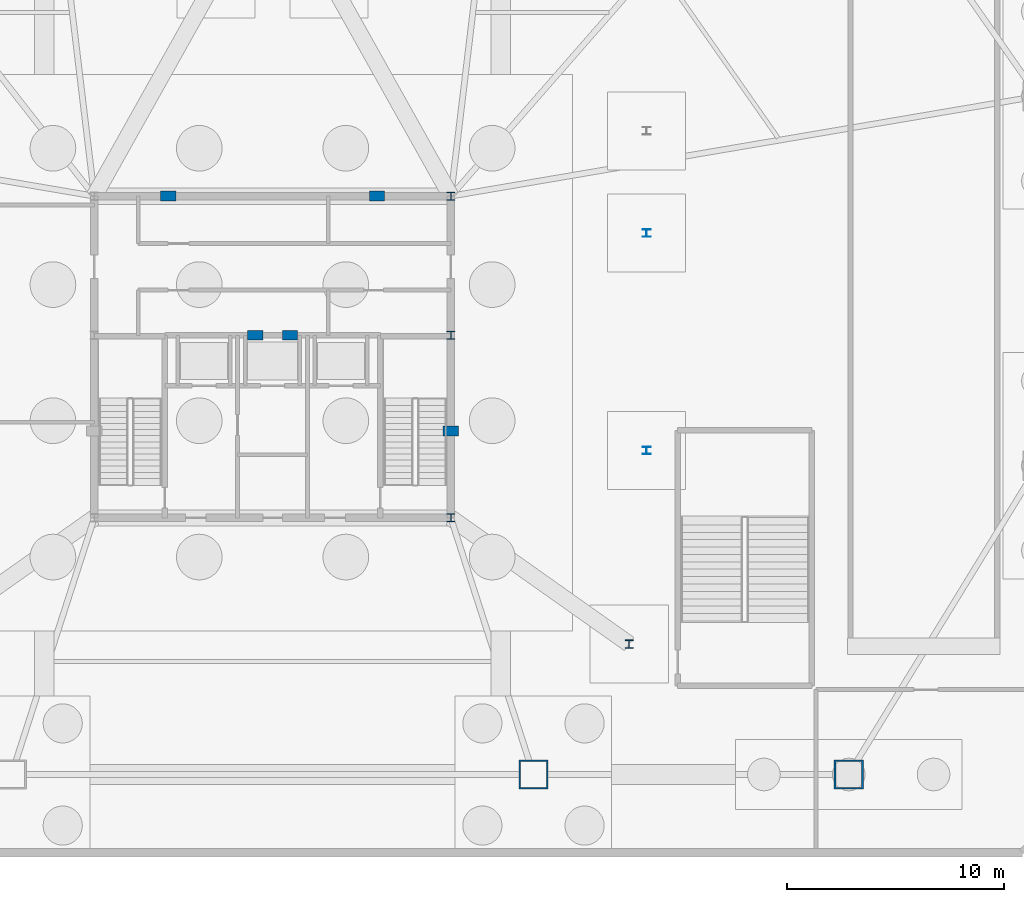
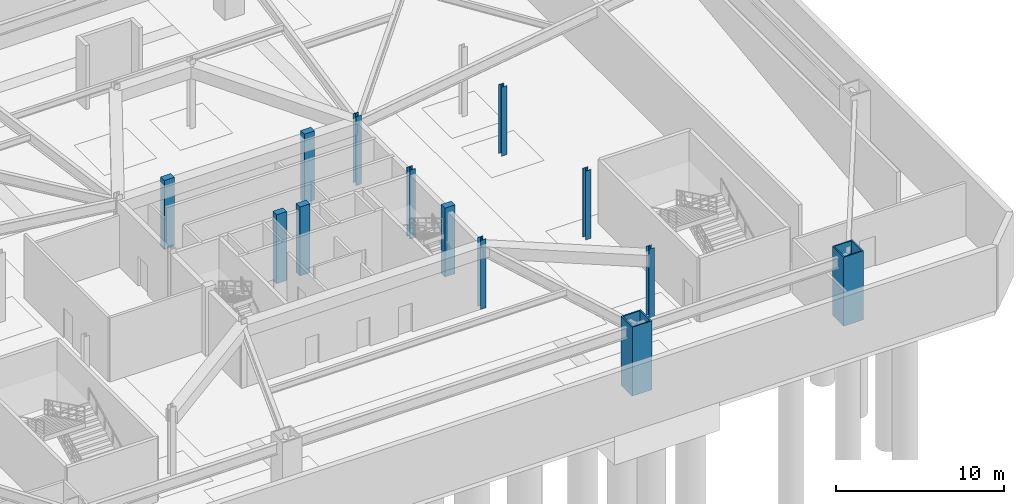
# One storey, part 3 of 12: 13 columns.
"""IFC4 building model written with IfcOpenShell, lengths in metres."""

from ifc_helpers import new_model, si_unit, direction, frame, origin, origin_2d, place, context, subcontext, project, spatial, rectangle, hollow_rectangle, i_section, extrude, material, material_profile, profile_set, type_object, element, save


model = new_model("IFC4")

# Units and contexts
model_context = context("Model", 3, precision=1e-05, world=origin(), true_north=direction((0.0, 1.0)))
body_context = subcontext(model_context, "Body", "Model", "MODEL_VIEW")
ifc_project = project(units=[si_unit("LENGTHUNIT", "METRE"), si_unit("AREAUNIT", "SQUARE_METRE"), si_unit("VOLUMEUNIT", "CUBIC_METRE"), si_unit("PLANEANGLEUNIT", "RADIAN"), si_unit("MASSUNIT", "GRAM", prefix="KILO")], contexts=[model_context])

# Site, building, storey
site_placement = place(None, origin())
site = spatial("IfcSite", under=ifc_project, at=site_placement, CompositionType="ELEMENT")
building_placement = place(site_placement, origin())
building = spatial("IfcBuilding", under=site, at=building_placement, Name="Varakhsha Concourse Tower", CompositionType="ELEMENT")
storey_placement = place(building_placement, frame((0.0, 0.0, -10.0)))
storey = spatial("IfcBuildingStorey", under=building, at=storey_placement, Name="B02", CompositionType="ELEMENT", Elevation=-10.0)

# Columns
ifc_material_1 = material(Name="Structural Steel ASTM A992 Grade 50", Category="steel")
ifc_material_profile_1 = material_profile(ifc_material_1, i_section(OverallWidth=0.3740234375, OverallDepth=0.3720703125, WebThickness=0.01611328125, FlangeThickness=0.02587890625, at=origin_2d()), Name="W14X132")
ifc_profile_set_1 = profile_set([ifc_material_profile_1], Name="Structural Steel ASTM A992 Grade 50")
column_type_1 = type_object("IfcColumnType", Name="CL-CORE-W14X132", PredefinedType="COLUMN", material=ifc_profile_set_1)
for number, where, z_axis, x_axis, name in (
    (1, (48.199951171875, 16.39990234375, 0.0), (0.0, 0.0, 1.0), (1.0, 0.0, 0.0), "B02 Core Column CC-SE"),
    (2, (48.199951171875, 24.800048828125, 0.0), (0.0, 0.0, 1.0), (1.0, 0.0, 0.0), "B02 Core Column CC-ME"),
    (3, (48.199951171875, 31.199951171875, 0.0), (0.0, 0.0, 1.0), (1.0, 0.0, 0.0), "B02 Core Column CC-NE"),
    (4, (56.39990234375, 10.60009765625, 0.0), (0.0, 0.0, 1.0), (1.0, 0.0, 0.0), "B02 Core Column SS-E"),
):
    element("IfcColumn", number, at=place(storey_placement, frame(where, z_axis=z_axis, x_axis=x_axis)), inside=storey, type_object=column_type_1, Name=name, PredefinedType="COLUMN", context=body_context, shape_type="SweptSolid", body=[
        extrude(i_section(OverallWidth=0.3740234375, OverallDepth=0.3720703125, WebThickness=0.01611328125, FlangeThickness=0.02587890625, at=origin_2d()), origin(), (0.0, 0.0, 1.0), 5.0),
    ])
ifc_material_2 = material(Name="Concrete fc 65 MPa", Category="concrete")
ifc_material_profile_2 = material_profile(ifc_material_2, rectangle(XDim=0.699951171875, YDim=0.449951171875, at=origin_2d()), Name="RC 700x450")
ifc_profile_set_2 = profile_set([ifc_material_profile_2], Name="Concrete fc 65 MPa")
column_type_2 = type_object("IfcColumnType", Name="CL-PIL-700X450", PredefinedType="PILASTER", material=ifc_profile_set_2)
for number, where, z_axis, x_axis, name in (
    (5, (48.199951171875, 20.39990234375, 0.0), (0.0, 0.0, 1.0), (1.0, 0.0, 0.0), "B02 Core Boundary Pilaster PIL-E1"),
    (6, (35.199951171875, 31.199951171875, 0.0), (0.0, 0.0, 1.0), (1.0, 0.0, 0.0), "B02 Core Boundary Pilaster PIL-N1"),
    (7, (44.800048828125, 31.199951171875, 0.0), (0.0, 0.0, 1.0), (1.0, 0.0, 0.0), "B02 Core Boundary Pilaster PIL-N2"),
    (8, (39.199951171875, 24.800048828125, 0.0), (0.0, 0.0, 1.0), (1.0, 0.0, 0.0), "B02 Core Boundary Pilaster PIL-M1"),
    (9, (40.800048828125, 24.800048828125, 0.0), (0.0, 0.0, 1.0), (1.0, 0.0, 0.0), "B02 Core Boundary Pilaster PIL-M2"),
):
    element("IfcColumn", number, at=place(storey_placement, frame(where, z_axis=z_axis, x_axis=x_axis)), inside=storey, type_object=column_type_2, Name=name, PredefinedType="PILASTER", context=body_context, shape_type="SweptSolid", body=[
        extrude(rectangle(XDim=0.699951171875, YDim=0.449951171875, at=origin_2d()), origin(), (0.0, 0.0, 1.0), 5.0),
    ])
ifc_material_profile_3 = material_profile(ifc_material_1, i_section(OverallWidth=0.368896484375, OverallDepth=0.35595703125, WebThickness=0.010986328125, FlangeThickness=0.01806640625, at=origin_2d()), Name="W14X90")
ifc_profile_set_3 = profile_set([ifc_material_profile_3], Name="Structural Steel ASTM A992 Grade 50")
column_type_3 = type_object("IfcColumnType", Name="CL-POD-W14X90", PredefinedType="COLUMN", material=ifc_profile_set_3)
for number, where, z_axis, x_axis, name in (
    (10, (57.199951171875, 19.5, 0.0), (0.0, 0.0, 1.0), (1.0, 0.0, 0.0), "B02 Substructure Column AUX-E1"),
    (11, (57.199951171875, 29.5, 0.0), (0.0, 0.0, 1.0), (1.0, 0.0, 0.0), "B02 Substructure Column AUX-E2"),
):
    element("IfcColumn", number, at=place(storey_placement, frame(where, z_axis=z_axis, x_axis=x_axis)), inside=storey, type_object=column_type_3, Name=name, PredefinedType="COLUMN", context=body_context, shape_type="SweptSolid", body=[
        extrude(i_section(OverallWidth=0.368896484375, OverallDepth=0.35595703125, WebThickness=0.010986328125, FlangeThickness=0.01806640625, at=origin_2d()), origin(), (0.0, 0.0, 1.0), 5.0),
    ])
ifc_material_3 = material(Name="Structural Steel ASTM A572 Grade 50", Category="steel")
ifc_material_profile_4 = material_profile(ifc_material_3, hollow_rectangle(XDim=1.35009765625, YDim=1.35009765625, WallThickness=0.0849609375, at=origin_2d()), Name="BOX 1350x1350x85")
ifc_profile_set_4 = profile_set([ifc_material_profile_4], Name="Structural Steel ASTM A572 Grade 50")
column_type_4 = type_object("IfcColumnType", Name="CL-STILT-1350", PredefinedType="COLUMN", material=ifc_profile_set_4)
for number, where, z_axis, x_axis, name in (
    (12, (52.0, 4.60009765625, 0.0), (0.0, 0.0, 1.0), (1.0, 0.0, 0.0), "B02 Podium Mega-Column PC-S3"),
    (13, (66.5, 4.60009765625, 0.0), (0.0, 0.0, 1.0), (1.0, 0.0, 0.0), "B02 Podium Mega-Column PC-S4"),
):
    element("IfcColumn", number, at=place(storey_placement, frame(where, z_axis=z_axis, x_axis=x_axis)), inside=storey, type_object=column_type_4, Name=name, PredefinedType="COLUMN", context=body_context, shape_type="SweptSolid", body=[
        extrude(hollow_rectangle(XDim=1.35009765625, YDim=1.35009765625, WallThickness=0.0849609375, at=origin_2d()), origin(), (0.0, 0.0, 1.0), 5.0),
    ])

save(model, "model.ifc")
